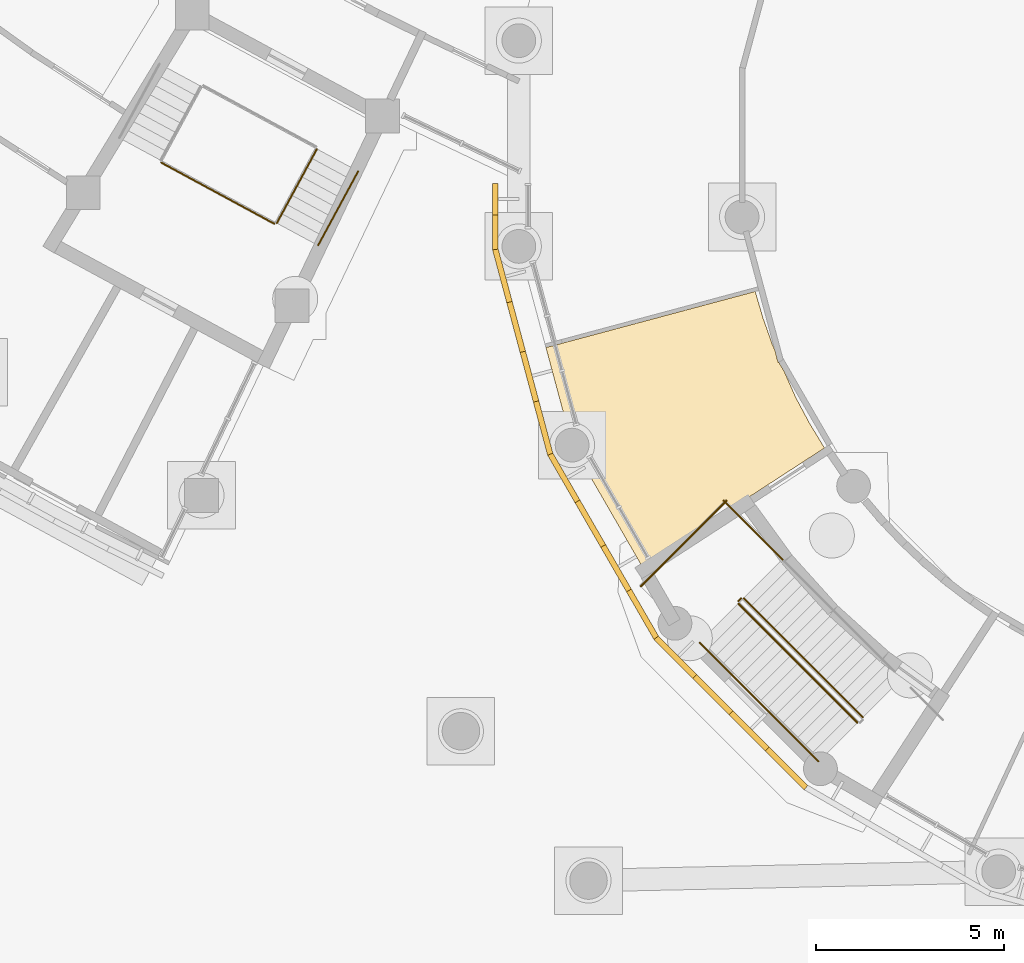
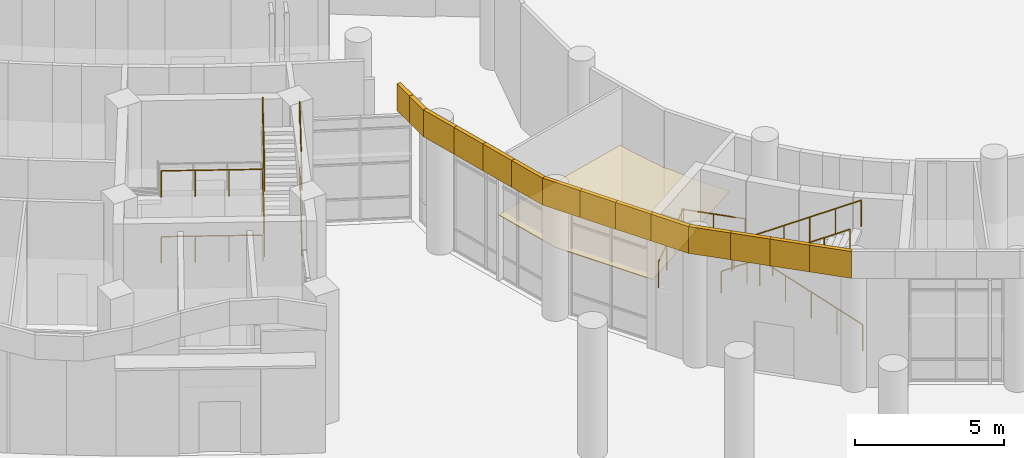
# One storey, part 120 of 146: 15 coverings, 12 railings.
"""IFC4 building model written with IfcOpenShell, lengths in metres."""

from ifc_helpers import new_model, si_unit, direction, frame, origin, origin_2d, place, context, subcontext, project, spatial, polyline, circle, outline, extrude, material, layer, layer_set, type_object, element, save


model = new_model("IFC4")

# Units and contexts
model_context = context("Model", 3, precision=1e-05, world=origin(), true_north=direction((0.0, 1.0)))
body_context = subcontext(model_context, "Body", "Model", "MODEL_VIEW")
ifc_project = project(units=[si_unit("LENGTHUNIT", "METRE"), si_unit("AREAUNIT", "SQUARE_METRE"), si_unit("VOLUMEUNIT", "CUBIC_METRE"), si_unit("PLANEANGLEUNIT", "RADIAN"), si_unit("MASSUNIT", "GRAM", prefix="KILO")], contexts=[model_context])

# Site, building, storey
site_placement = place(None, origin())
site = spatial("IfcSite", under=ifc_project, at=site_placement, CompositionType="ELEMENT")
building_placement = place(site_placement, origin())
building = spatial("IfcBuilding", under=site, at=building_placement, Name="Bougainvillea Quay General Hospital", CompositionType="ELEMENT")
storey_placement = place(building_placement, origin())
storey = spatial("IfcBuildingStorey", under=building, at=storey_placement, Name="L00", CompositionType="ELEMENT", Elevation=0.0)

# Coverings
ifc_material_1 = material(Name="Powder-coated aluminium fascia, white", Category="aluminium")
ifc_layer_1 = layer(ifc_material_1, 0.14990234375)
ifc_layer_set_1 = layer_set([ifc_layer_1], Name="Powder-coated aluminium fascia, white")
covering_type_1 = type_object("IfcCoveringType", Name="Aluminium fascia band white 150x1100", PredefinedType="CLADDING", material=ifc_layer_set_1)
covering_1_placement = place(storey_placement, frame((87.830078125, 72.93994140625, 4.85009765625), z_axis=(0.0, 0.0, 1.0), x_axis=(0.0, -1.0, 0.0)))
element("IfcCovering", 1, at=covering_1_placement, inside=storey, type_object=covering_type_1, Name="Fascia band white e1 1", PredefinedType="CLADDING", context=body_context, shape_type="SweptSolid", body=[
    extrude(outline(polyline([(0.0, 0.0), (0.84033203125, 0.0), (0.84033203125, -0.150146484375), (0.0, -0.150146484375), (0.0, 0.0)])), origin(), (0.0, 0.0, 1.0), 1.10009765625),
])
covering_2_placement = place(storey_placement, frame((87.830078125, 72.099609375, 4.85009765625), z_axis=(0.0, 0.0, 1.0), x_axis=(0.0, -1.0, 0.0)))
element("IfcCovering", 2, at=covering_2_placement, inside=storey, type_object=covering_type_1, Name="Fascia band white e1 2", PredefinedType="CLADDING", context=body_context, shape_type="SweptSolid", body=[
    extrude(outline(polyline([(0.0, 0.0), (0.9130859375, 0.0), (0.932861328125, -0.150146484375), (0.0, -0.150146484375), (0.0, 0.0)])), origin(), (0.0, 0.0, 1.0), 1.10009765625),
])
covering_3_placement = place(storey_placement, frame((87.830078125, 71.1865234375, 4.85009765625), z_axis=(0.0, 0.0, 1.0), x_axis=(0.258905250026, -0.965902723626, 0.0)))
element("IfcCovering", 3, at=covering_3_placement, inside=storey, type_object=covering_type_1, Name="Fascia band white e1 3", PredefinedType="CLADDING", context=body_context, shape_type="SweptSolid", body=[
    extrude(outline(polyline([(0.0, 0.0), (1.4427484812010494, -1.1102230246251565e-16), (1.442696922251136, -0.1501250372529882), (-0.019772609412171165, -0.15014685065487446), (0.0, 0.0)])), origin(), (0.0, 0.0, 1.0), 1.10009765625),
])
covering_4_placement = place(storey_placement, frame((88.20361328125, 69.79296875, 4.85009765625), z_axis=(0.0, 0.0, 1.0), x_axis=(0.258848876884, -0.965917832393, 0.0)))
element("IfcCovering", 4, at=covering_4_placement, inside=storey, type_object=covering_type_1, Name="Fascia band white e1 4", PredefinedType="CLADDING", context=body_context, shape_type="SweptSolid", body=[
    extrude(outline(polyline([(0.0, 0.0), (1.3704379651734342, -5.551115123125783e-17), (1.3703951679276272, -0.15012504000642976), (-4.279724580715655e-05, -0.15012504000642976), (0.0, 0.0)])), origin(), (0.0, 0.0, 1.0), 1.10009765625),
])
covering_5_placement = place(storey_placement, frame((88.558349609375, 68.46923828125, 4.85009765625), z_axis=(0.0, 0.0, 1.0), x_axis=(0.258804342537, -0.96592976571, 0.0)))
element("IfcCovering", 5, at=covering_5_placement, inside=storey, type_object=covering_type_1, Name="Fascia band white e1 5", PredefinedType="CLADDING", context=body_context, shape_type="SweptSolid", body=[
    extrude(outline(polyline([(0.0, 0.0), (1.3706737864135623, -5.551115123125783e-17), (1.370637910749763, -0.15012504182005457), (-3.5875663799166124e-05, -0.15012504182005454), (0.0, 0.0)])), origin(), (0.0, 0.0, 1.0), 1.10009765625),
])
covering_6_placement = place(storey_placement, frame((88.9130859375, 67.145263671875, 4.85009765625), z_axis=(0.0, 0.0, 1.0), x_axis=(0.258747363618, -0.965945030434, 0.0)))
element("IfcCovering", 6, at=covering_6_placement, inside=storey, type_object=covering_type_1, Name="Fascia band white e1 6", PredefinedType="CLADDING", context=body_context, shape_type="SweptSolid", body=[
    extrude(outline(polyline([(0.0, 0.0), (1.4426852911843133, 0.0), (1.462442488504424, -0.14986418031882914), (-2.7020056225221523e-05, -0.1501250436751075), (0.0, 0.0)])), origin(), (0.0, 0.0, 1.0), 1.10009765625),
])
covering_7_placement = place(storey_placement, frame((89.286376953125, 65.751708984375, 4.85009765625), z_axis=(0.0, 0.0, 1.0), x_axis=(0.49994213401, -0.866058810152, 0.0)))
element("IfcCovering", 7, at=covering_7_placement, inside=storey, type_object=covering_type_1, Name="Fascia band white e1 7", PredefinedType="CLADDING", context=body_context, shape_type="SweptSolid", body=[
    extrude(outline(polyline([(0.0, 0.0), (1.4430380994058942, 0.0), (1.443016331686934, -0.14995740286665526), (-0.019704824865206458, -0.14987107548026693), (0.0, 0.0)])), origin(), (0.0, 0.0, 1.0), 1.10009765625),
])
for number, where, z_axis, x_axis, name in (
    (8, (90.0078125, 64.501953125, 4.85009765625), (0.0, 0.0, 1.0), (0.499989712218, -0.866031343357, 0.0), "Fascia band white e1 8"),
    (9, (90.693115234375, 63.31494140625, 4.85009765625), (0.0, 0.0, 1.0), (0.499989712218, -0.866031343357, 0.0), "Fascia band white e1 9"),
):
    element("IfcCovering", number, at=place(storey_placement, frame(where, z_axis=z_axis, x_axis=x_axis)), inside=storey, type_object=covering_type_1, Name=name, PredefinedType="CLADDING", context=body_context, shape_type="SweptSolid", body=[
        extrude(outline(polyline([(0.0, 0.0), (1.3706336703115394, 0.0), (1.3706036643327093, -0.14995740144450087), (-3.0005978829975022e-05, -0.14995740144450084), (0.0, 0.0)])), origin(), (0.0, 0.0, 1.0), 1.10009765625),
    ])
covering_8_placement = place(storey_placement, frame((91.37841796875, 62.1279296875, 4.85009765625), z_axis=(0.0, 0.0, 1.0), x_axis=(0.500015396624, -0.866016514357, 0.0)))
element("IfcCovering", 10, at=covering_8_placement, inside=storey, type_object=covering_type_1, Name="Fascia band white e1 10", PredefinedType="CLADDING", context=body_context, shape_type="SweptSolid", body=[
    extrude(outline(polyline([(0.0, 0.0), (1.4428266644293797, 0.0), (1.4626866906226388, -0.15016746703797101), (-3.44533927520152e-05, -0.1499574004886377), (0.0, 0.0)])), origin(), (0.0, 0.0, 1.0), 1.10009765625),
])
covering_9_placement = place(storey_placement, frame((92.099853515625, 60.87841796875, 4.85009765625), z_axis=(0.0, 0.0, 1.0), x_axis=(0.707106781187, -0.707106781187, 0.0)))
element("IfcCovering", 11, at=covering_9_placement, inside=storey, type_object=covering_type_1, Name="Fascia band white e1 11", PredefinedType="CLADDING", context=body_context, shape_type="SweptSolid", body=[
    extrude(outline(polyline([(0.0, 0.0), (1.4428707219621983, 0.0), (1.4428707219621983, -0.15019113760554115), (-0.01968021803107091, -0.1501911376055411), (0.0, 0.0)])), origin(), (0.0, 0.0, 1.0), 1.10009765625),
])
for number, where, z_axis, x_axis, name in (
    (12, (93.1201171875, 59.858154296875, 4.85009765625), (0.0, 0.0, 1.0), (0.707106781187, -0.707106781187, 0.0), "Fascia band white e1 12"),
    (13, (94.089111328125, 58.88916015625, 4.85009765625), (0.0, 0.0, 1.0), (0.707106781187, -0.707106781187, 0.0), "Fascia band white e1 13"),
):
    element("IfcCovering", number, at=place(storey_placement, frame(where, z_axis=z_axis, x_axis=x_axis)), inside=storey, type_object=covering_type_1, Name=name, PredefinedType="CLADDING", context=body_context, shape_type="SweptSolid", body=[
        extrude(outline(polyline([(0.0, 0.0), (1.370364655531937, 0.0), (1.370364655531937, -0.15019113760554115), (0.0, -0.15019113760554112), (0.0, 0.0)])), origin(), (0.0, 0.0, 1.0), 1.10009765625),
    ])
covering_10_placement = place(storey_placement, frame((95.05810546875, 57.920166015625, 4.85009765625), z_axis=(0.0, 0.0, 1.0), x_axis=(0.707106781187, -0.707106781187, 0.0)))
element("IfcCovering", 14, at=covering_10_placement, inside=storey, type_object=covering_type_1, Name="Fascia band white e1 14", PredefinedType="CLADDING", context=body_context, shape_type="SweptSolid", body=[
    extrude(outline(polyline([(0.0, 0.0), (1.4428707219621983, 0.0), (1.4625509399932692, -0.15019113760554115), (0.0, -0.15019113760554112), (0.0, 0.0)])), origin(), (0.0, 0.0, 1.0), 1.10009765625),
])

# Railings
ifc_material_2 = material(Name="Stainless steel 304 balustrade", Category="steel")
railing_type_1 = type_object("IfcRailingType", Name="Stair guard 1100", PredefinedType="GUARDRAIL", material=ifc_material_2)
railing_1_placement = place(storey_placement, frame((78.85498046875, 73.4892578125, 1.35009765625)))
element("IfcRailing", 15, at=railing_1_placement, inside=storey, type_object=railing_type_1, Name="L00 ST-W1 stair guard 2", PredefinedType="GUARDRAIL", context=body_context, shape_type="SweptSolid", body=[
    extrude(circle(Radius=0.02392578125, at=origin_2d()), frame((0.0, 0.0, 1.076171875), z_axis=(0.879596792636, -0.475719962146, 0.0), x_axis=(0.475719962146, 0.879596792636, 0.0)), (0.0, 0.0, 1.0), 3.422119140625),
    extrude(circle(Radius=0.02099609375, at=origin_2d()), origin(), (0.0, 0.0, 1.0), 1.052001953125),
    extrude(circle(Radius=0.02099609375, at=origin_2d()), frame((1.00341796875, -0.542724609375, 0.0)), (0.0, 0.0, 1.0), 1.052001953125),
    extrude(circle(Radius=0.02099609375, at=origin_2d()), frame((2.006591796875, -1.085205078125, 0.0)), (0.0, 0.0, 1.0), 1.052001953125),
    extrude(circle(Radius=0.02099609375, at=origin_2d()), frame((3.010009765625, -1.6279296875, 0.0)), (0.0, 0.0, 1.0), 1.052001953125),
])
railing_2_placement = place(storey_placement, frame((81.9326171875, 71.881591796875, 1.5)))
element("IfcRailing", 16, at=railing_2_placement, inside=storey, type_object=railing_type_1, Name="L00 ST-W1 stair guard 3", PredefinedType="GUARDRAIL", context=body_context, shape_type="SweptSolid", body=[
    extrude(circle(Radius=0.02392578125, at=origin_2d()), frame((0.0, 0.0, 1.076171875), z_axis=(0.419371731451, 0.775333304194, 0.472213530373), x_axis=(-0.879577093655, 0.475756383371, 0.0)), (0.0, 0.0, 1.0), 2.541015625),
    extrude(circle(Radius=0.02099609375, at=origin_2d()), origin(), (0.0, 0.0, 1.0), 1.052001953125),
    extrude(circle(Radius=0.02099609375, at=origin_2d()), frame((0.355224609375, 0.65673828125, 0.39990234375)), (0.0, 0.0, 1.0), 1.052001953125),
    extrude(circle(Radius=0.02099609375, at=origin_2d()), frame((0.71044921875, 1.3134765625, 0.800048828125)), (0.0, 0.0, 1.0), 1.052001953125),
    extrude(circle(Radius=0.02099609375, at=origin_2d()), frame((1.065673828125, 1.97021484375, 1.199951171875)), (0.0, 0.0, 1.0), 1.052001953125),
])
railing_3_placement = place(storey_placement, frame((78.85498046875, 73.4892578125, 4.050048828125)))
element("IfcRailing", 17, at=railing_3_placement, inside=storey, type_object=railing_type_1, Name="L00 ST-W1 stair guard 6", PredefinedType="GUARDRAIL", context=body_context, shape_type="SweptSolid", body=[
    extrude(circle(Radius=0.02392578125, at=origin_2d()), frame((0.0, 0.0, 1.076171875), z_axis=(0.879596792636, -0.475719962146, 0.0), x_axis=(0.475719962146, 0.879596792636, 0.0)), (0.0, 0.0, 1.0), 3.422119140625),
    extrude(circle(Radius=0.02099609375, at=origin_2d()), origin(), (0.0, 0.0, 1.0), 1.052001953125),
    extrude(circle(Radius=0.02099609375, at=origin_2d()), frame((1.00341796875, -0.542724609375, 0.0)), (0.0, 0.0, 1.0), 1.052001953125),
    extrude(circle(Radius=0.02099609375, at=origin_2d()), frame((2.006591796875, -1.085205078125, 0.0)), (0.0, 0.0, 1.0), 1.052001953125),
    extrude(circle(Radius=0.02099609375, at=origin_2d()), frame((3.010009765625, -1.6279296875, 0.0)), (0.0, 0.0, 1.0), 1.052001953125),
])
railing_4_placement = place(storey_placement, frame((81.9326171875, 71.881591796875, 4.199951171875)))
element("IfcRailing", 18, at=railing_4_placement, inside=storey, type_object=railing_type_1, Name="L00 ST-W1 stair guard 7", PredefinedType="GUARDRAIL", context=body_context, shape_type="SweptSolid", body=[
    extrude(circle(Radius=0.02392578125, at=origin_2d()), frame((0.0, 0.0, 1.076171875), z_axis=(0.419371731451, 0.775333304194, 0.472213530373), x_axis=(-0.879577093655, 0.475756383371, 0.0)), (0.0, 0.0, 1.0), 2.541015625),
    extrude(circle(Radius=0.02099609375, at=origin_2d()), origin(), (0.0, 0.0, 1.0), 1.052001953125),
    extrude(circle(Radius=0.02099609375, at=origin_2d()), frame((0.355224609375, 0.65673828125, 0.39990234375)), (0.0, 0.0, 1.0), 1.052001953125),
    extrude(circle(Radius=0.02099609375, at=origin_2d()), frame((0.71044921875, 1.3134765625, 0.800048828125)), (0.0, 0.0, 1.0), 1.052001953125),
    extrude(circle(Radius=0.02099609375, at=origin_2d()), frame((1.065673828125, 1.97021484375, 1.199951171875)), (0.0, 0.0, 1.0), 1.052001953125),
])
railing_5_placement = place(storey_placement, frame((97.54052734375, 58.7119140625, 0.158935546875)))
element("IfcRailing", 19, at=railing_5_placement, inside=storey, type_object=railing_type_1, Name="L00 ST-H2 stair guard 1", PredefinedType="GUARDRAIL", context=body_context, shape_type="SweptSolid", body=[
    extrude(circle(Radius=0.02392578125, at=origin_2d()), frame((0.0, 0.0, 1.076171875), z_axis=(-0.615036904199, 0.615084305887, 0.493356770628), x_axis=(-0.707134028428, -0.707079532895, 0.0)), (0.0, 0.0, 1.0), 5.150390625),
    extrude(circle(Radius=0.02099609375, at=origin_2d()), origin(), (0.0, 0.0, 1.0), 1.052001953125),
    extrude(circle(Radius=0.02099609375, at=origin_2d()), frame((-0.633544921875, 0.633544921875, 0.50830078125)), (0.0, 0.0, 1.0), 1.052001953125),
    extrude(circle(Radius=0.02099609375, at=origin_2d()), frame((-1.26708984375, 1.26708984375, 1.016357421875)), (0.0, 0.0, 1.0), 1.052001953125),
    extrude(circle(Radius=0.02099609375, at=origin_2d()), frame((-1.900634765625, 1.90087890625, 1.524658203125)), (0.0, 0.0, 1.0), 1.052001953125),
    extrude(circle(Radius=0.02099609375, at=origin_2d()), frame((-2.5341796875, 2.534423828125, 2.03271484375)), (0.0, 0.0, 1.0), 1.052001953125),
    extrude(circle(Radius=0.02099609375, at=origin_2d()), frame((-3.167724609375, 3.16796875, 2.541015625)), (0.0, 0.0, 1.0), 1.052001953125),
])
railing_6_placement = place(storey_placement, frame((94.302001953125, 61.8798828125, 2.699951171875)))
element("IfcRailing", 20, at=railing_6_placement, inside=storey, type_object=railing_type_1, Name="L00 ST-H2 stair guard 2", PredefinedType="GUARDRAIL", context=body_context, shape_type="SweptSolid", body=[
    extrude(circle(Radius=0.02392578125, at=origin_2d()), frame((0.0, 0.0, 1.076171875), z_axis=(-0.705884473151, -0.708326979978, 0.0), x_axis=(0.708326979978, -0.705884473151, 0.0)), (0.0, 0.0, 1.0), 0.099853515625),
    extrude(circle(Radius=0.02099609375, at=origin_2d()), origin(), (0.0, 0.0, 1.0), 1.052001953125),
    extrude(circle(Radius=0.02099609375, at=origin_2d()), frame((-0.070556640625, -0.07080078125, 0.0)), (0.0, 0.0, 1.0), 1.052001953125),
])
railing_7_placement = place(storey_placement, frame((95.4072265625, 62.914306640625, 2.699951171875)))
element("IfcRailing", 21, at=railing_7_placement, inside=storey, type_object=railing_type_1, Name="L00 ST-H2 stair guard 3", PredefinedType="GUARDRAIL", context=body_context, shape_type="SweptSolid", body=[
    extrude(circle(Radius=0.02392578125, at=origin_2d()), frame((0.0, 0.0, 1.076171875), z_axis=(-0.707106781187, 0.707106781187, 0.0), x_axis=(-0.707106781187, -0.707106781187, 0.0)), (0.0, 0.0, 1.0), 2.21484375),
    extrude(circle(Radius=0.02099609375, at=origin_2d()), origin(), (0.0, 0.0, 1.0), 1.052001953125),
    extrude(circle(Radius=0.02099609375, at=origin_2d()), frame((-0.783203125, 0.783203125, 0.0)), (0.0, 0.0, 1.0), 1.052001953125),
    extrude(circle(Radius=0.02099609375, at=origin_2d()), frame((-1.566162109375, 1.566162109375, 0.0)), (0.0, 0.0, 1.0), 1.052001953125),
])
railing_8_placement = place(storey_placement, frame((93.911865234375, 64.48046875, 2.699951171875)))
element("IfcRailing", 22, at=railing_8_placement, inside=storey, type_object=railing_type_1, Name="L00 ST-H2 stair guard 4", PredefinedType="GUARDRAIL", context=body_context, shape_type="SweptSolid", body=[
    extrude(circle(Radius=0.02392578125, at=origin_2d()), frame((0.0, 0.0, 1.076171875), z_axis=(-0.707144619676, -0.707068940672, 0.0), x_axis=(0.707068940672, -0.707144619676, 0.0)), (0.0, 0.0, 1.0), 3.22607421875),
    extrude(circle(Radius=0.02099609375, at=origin_2d()), origin(), (0.0, 0.0, 1.0), 1.052001953125),
    extrude(circle(Radius=0.02099609375, at=origin_2d()), frame((-0.760498046875, -0.76025390625, 0.0)), (0.0, 0.0, 1.0), 1.052001953125),
    extrude(circle(Radius=0.02099609375, at=origin_2d()), frame((-1.520751953125, -1.520751953125, 0.0)), (0.0, 0.0, 1.0), 1.052001953125),
    extrude(circle(Radius=0.02099609375, at=origin_2d()), frame((-2.28125, -2.281005859375, 0.0)), (0.0, 0.0, 1.0), 1.052001953125),
])
railing_9_placement = place(storey_placement, frame((94.2314453125, 61.738525390625, 2.85888671875)))
element("IfcRailing", 23, at=railing_9_placement, inside=storey, type_object=railing_type_1, Name="L00 ST-H2 stair guard 5", PredefinedType="GUARDRAIL", context=body_context, shape_type="SweptSolid", body=[
    extrude(circle(Radius=0.02392578125, at=origin_2d()), frame((0.0, 0.0, 1.076171875), z_axis=(0.615036904199, -0.615084305887, 0.493356770628), x_axis=(0.707134028428, 0.707079532895, 0.0)), (0.0, 0.0, 1.0), 5.150390625),
    extrude(circle(Radius=0.02099609375, at=origin_2d()), origin(), (0.0, 0.0, 1.0), 1.052001953125),
    extrude(circle(Radius=0.02099609375, at=origin_2d()), frame((0.633544921875, -0.633544921875, 0.50830078125)), (0.0, 0.0, 1.0), 1.052001953125),
    extrude(circle(Radius=0.02099609375, at=origin_2d()), frame((1.26708984375, -1.26708984375, 1.016357421875)), (0.0, 0.0, 1.0), 1.052001953125),
    extrude(circle(Radius=0.02099609375, at=origin_2d()), frame((1.900634765625, -1.90087890625, 1.524658203125)), (0.0, 0.0, 1.0), 1.052001953125),
    extrude(circle(Radius=0.02099609375, at=origin_2d()), frame((2.5341796875, -2.534423828125, 2.03271484375)), (0.0, 0.0, 1.0), 1.052001953125),
    extrude(circle(Radius=0.02099609375, at=origin_2d()), frame((3.167724609375, -3.16796875, 2.541015625)), (0.0, 0.0, 1.0), 1.052001953125),
])
ifc_material_3 = material(Name="Stainless steel 304 handrail", Category="steel")
railing_type_2 = type_object("IfcRailingType", Name="Stair handrail 900", PredefinedType="HANDRAIL", material=ifc_material_3)
for number, where, name in (
    (24, (83.0322265625, 71.286865234375, 1.5), "L00 ST-W1 stair handrail 2"),
    (25, (83.0322265625, 71.286865234375, 4.199951171875), "L00 ST-W1 stair handrail 4"),
):
    element("IfcRailing", number, at=place(storey_placement, frame(where)), inside=storey, type_object=railing_type_2, Name=name, PredefinedType="HANDRAIL", context=body_context, shape_type="SweptSolid", body=[
        extrude(circle(Radius=0.02392578125, at=origin_2d()), frame((0.0, 0.0, 0.8759765625), z_axis=(0.419261313358, 0.775402855204, 0.472197377441), x_axis=(-0.87964736087, 0.475626450605, 0.0)), (0.0, 0.0, 1.0), 2.541259765625),
        extrude(circle(Radius=0.02099609375, at=origin_2d()), origin(), (0.0, 0.0, 1.0), 0.851806640625),
        extrude(circle(Radius=0.02099609375, at=origin_2d()), frame((0.355224609375, 0.65673828125, 0.39990234375)), (0.0, 0.0, 1.0), 0.851806640625),
        extrude(circle(Radius=0.02099609375, at=origin_2d()), frame((0.710205078125, 1.313720703125, 0.800048828125)), (0.0, 0.0, 1.0), 0.851806640625),
        extrude(circle(Radius=0.02099609375, at=origin_2d()), frame((1.0654296875, 1.970458984375, 1.199951171875)), (0.0, 0.0, 1.0), 0.851806640625),
    ])
railing_10_placement = place(storey_placement, frame((93.19677734375, 60.703857421875, 2.85888671875)))
element("IfcRailing", 26, at=railing_10_placement, inside=storey, type_object=railing_type_2, Name="L00 ST-H2 stair handrail 2", PredefinedType="HANDRAIL", context=body_context, shape_type="SweptSolid", body=[
    extrude(circle(Radius=0.02392578125, at=origin_2d()), frame((0.0, 0.0, 0.8759765625), z_axis=(0.615084305887, -0.615036904199, 0.493356770628), x_axis=(0.707079532895, 0.707134028428, 0.0)), (0.0, 0.0, 1.0), 5.150390625),
    extrude(circle(Radius=0.02099609375, at=origin_2d()), origin(), (0.0, 0.0, 1.0), 0.851806640625),
    extrude(circle(Radius=0.02099609375, at=origin_2d()), frame((0.633544921875, -0.633544921875, 0.50830078125)), (0.0, 0.0, 1.0), 0.851806640625),
    extrude(circle(Radius=0.02099609375, at=origin_2d()), frame((1.26708984375, -1.26708984375, 1.016357421875)), (0.0, 0.0, 1.0), 0.851806640625),
    extrude(circle(Radius=0.02099609375, at=origin_2d()), frame((1.90087890625, -1.900634765625, 1.524658203125)), (0.0, 0.0, 1.0), 0.851806640625),
    extrude(circle(Radius=0.02099609375, at=origin_2d()), frame((2.534423828125, -2.5341796875, 2.03271484375)), (0.0, 0.0, 1.0), 0.851806640625),
    extrude(circle(Radius=0.02099609375, at=origin_2d()), frame((3.16796875, -3.167724609375, 2.541015625)), (0.0, 0.0, 1.0), 0.851806640625),
])

# Covering
ifc_material_4 = material(Name="Mineral fibre ceiling tile")
ifc_layer_2 = layer(ifc_material_4, 0.030029296875)
ifc_layer_set_2 = layer_set([ifc_layer_2], Name="Mineral fibre ceiling tile")
covering_type_2 = type_object("IfcCoveringType", Name="Suspended ceiling mineral fibre tile", PredefinedType="CEILING", material=ifc_layer_set_2)
covering_11_placement = place(storey_placement, frame((0.0, 0.0, 2.699951171875)))
element("IfcCovering", 27, at=covering_11_placement, inside=storey, type_object=covering_type_2, Name="Ceiling Cafe 00H0311", PredefinedType="CEILING", context=body_context, shape_type="SweptSolid", body=[
    extrude(outline(polyline([(91.68994140625, 62.6884765625), (94.32666015625, 64.400634765625), (94.300048828125, 64.439697265625), (94.302001953125, 64.441162109375), (94.30078125, 64.443359375), (94.383544921875, 64.4970703125), (94.46484375, 64.552978515625), (94.46630859375, 64.55078125), (96.52392578125, 65.886962890625), (96.50048828125, 65.92138671875), (96.502685546875, 65.9228515625), (96.15283203125, 66.50048828125), (96.150634765625, 66.499267578125), (96.12744140625, 66.542236328125), (96.102294921875, 66.583984375), (96.1044921875, 66.585205078125), (95.784912109375, 67.1806640625), (95.781494140625, 67.178955078125), (95.761962890625, 67.22314453125), (95.7392578125, 67.265380859375), (95.742431640625, 67.26708984375), (95.4619140625, 67.90234375), (95.305908203125, 68.172607421875), (95.2890625, 68.168212890625), (95.272216796875, 68.23095703125), (95.239501953125, 68.287353515625), (95.254638671875, 68.296142578125), (95.203125, 68.488037109375), (95.157958984375, 68.59033203125), (95.154541015625, 68.589111328125), (95.138427734375, 68.634521484375), (95.119140625, 68.678466796875), (95.12255859375, 68.679931640625), (94.897705078125, 69.317626953125), (94.895263671875, 69.31689453125), (94.88134765625, 69.363525390625), (94.865234375, 69.409423828125), (94.86767578125, 69.410400390625), (94.6767578125, 70.05712890625), (89.10302734375, 68.562744140625), (89.090087890625, 68.611083984375), (89.799072265625, 65.964111328125), (91.68994140625, 62.6884765625)])), origin(), (0.0, 0.0, 1.0), 0.030029296875),
])

save(model, "model.ifc")
